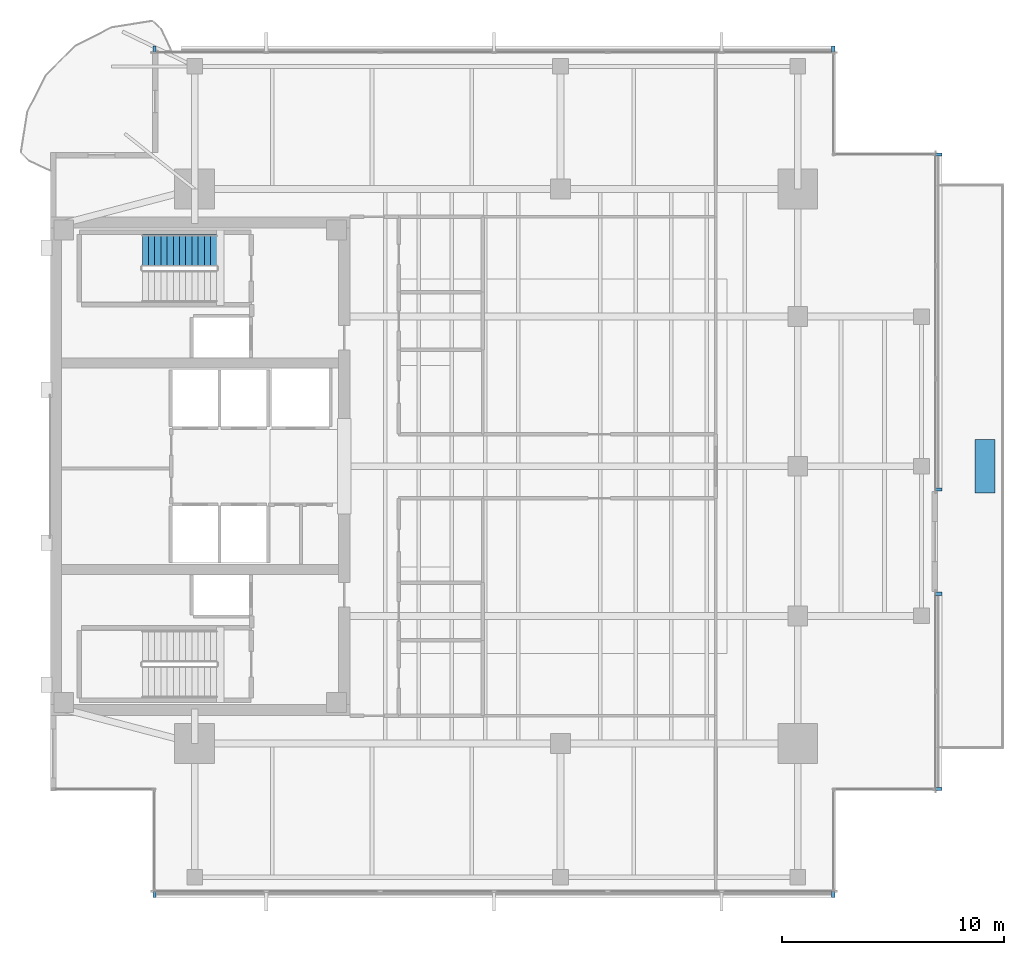
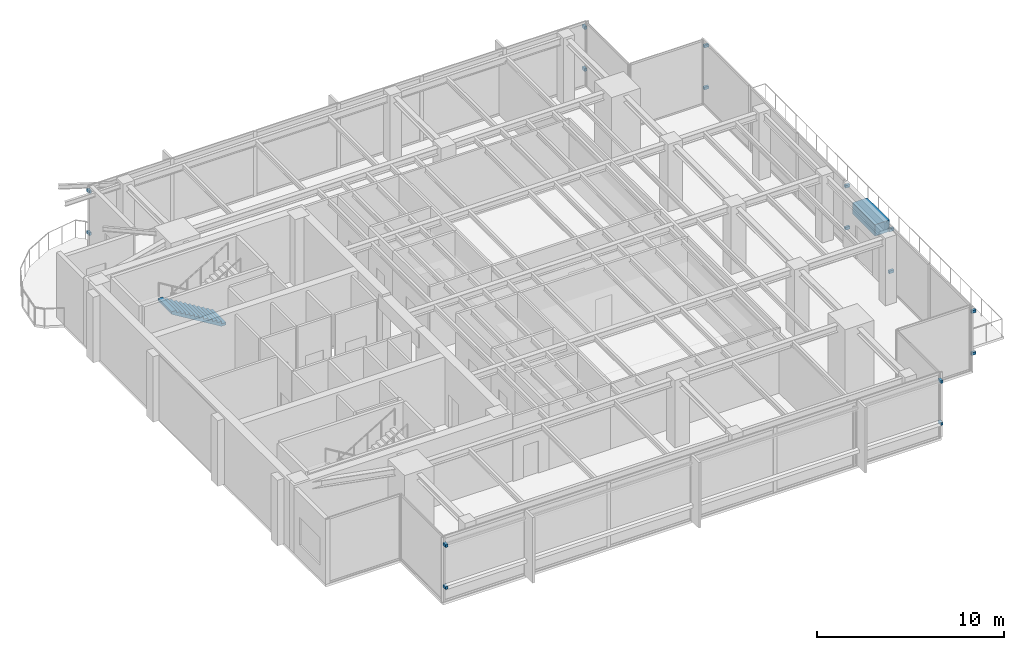
# One storey, part 10 of 14: 17 discrete accessories, 1 stair flight, 1 element without a shape of its own.
"""IFC4 building model written with IfcOpenShell, lengths in metres."""

from ifc_helpers import new_model, si_unit, direction, frame, origin, origin_2d, place, context, subcontext, project, spatial, polyline, rectangle, outline, extrude, material, type_object, element, aggregate, save


model = new_model("IFC4")

# Units and contexts
model_context = context("Model", 3, precision=1e-05, world=origin(), true_north=direction((0.0, 1.0)))
body_context = subcontext(model_context, "Body", "Model", "MODEL_VIEW")
ifc_project = project(units=[si_unit("LENGTHUNIT", "METRE"), si_unit("AREAUNIT", "SQUARE_METRE"), si_unit("VOLUMEUNIT", "CUBIC_METRE"), si_unit("PLANEANGLEUNIT", "RADIAN"), si_unit("MASSUNIT", "GRAM", prefix="KILO")], contexts=[model_context])

# Site, building, storey
site_placement = place(None, origin())
site = spatial("IfcSite", under=ifc_project, at=site_placement, CompositionType="ELEMENT")
building_placement = place(site_placement, origin())
building = spatial("IfcBuilding", under=site, at=building_placement, Name="Kinhvarn Gate Tower", CompositionType="ELEMENT")
storey_placement = place(building_placement, frame((0.0, 0.0, 244.85009765625)))
storey = spatial("IfcBuildingStorey", under=building, at=storey_placement, Name="L65", CompositionType="ELEMENT", Elevation=244.85009765625)

# Stair, stair flight
ifc_material_1 = material(Name="Concrete C40/50", Category="concrete")
stair_type = type_object("IfcStairType", Name="STR-DLG-169", PredefinedType="HALF_TURN_STAIR", material=ifc_material_1)
stair_placement = place(storey_placement, origin())
stair = element("IfcStair", 1, at=stair_placement, inside=storey, type_object=stair_type, Name="L65 Core Smokeproof Exit Stair ST2", PredefinedType="HALF_TURN_STAIR")
stair_flight_type = type_object("IfcStairFlightType", Name="STF-DLG-169", PredefinedType="STRAIGHT", material=ifc_material_1)
stair_flight_placement = place(storey_placement, frame((12.0, 34.97509765625, 0.0), z_axis=(0.0, 0.0, 1.0), x_axis=(-1.0, 0.0, 0.0)))
stair_flight = element("IfcStairFlight", 2, at=stair_flight_placement, type_object=stair_flight_type, Name="ST2 flight 1", NumberOfRisers=13, NumberOfTreads=12, PredefinedType="STRAIGHT", RiserHeight=0.169230769, TreadLength=0.28, context=body_context, shape_type="SweptSolid", body=[
    extrude(outline(polyline([(0.0, 0.0), (0.0, 0.169189453125), (0.280029296875, 0.169189453125), (0.280029296875, 0.33837890625), (0.56005859375, 0.33837890625), (0.56005859375, 0.5078125), (0.840087890625, 0.5078125), (0.840087890625, 0.677001953125), (1.1201171875, 0.677001953125), (1.1201171875, 0.84619140625), (1.39990234375, 0.84619140625), (1.39990234375, 1.015380859375), (1.679931640625, 1.015380859375), (1.679931640625, 1.1845703125), (1.9599609375, 1.1845703125), (1.9599609375, 1.353759765625), (2.239990234375, 1.353759765625), (2.239990234375, 1.523193359375), (2.52001953125, 1.523193359375), (2.52001953125, 1.6923828125), (2.800048828125, 1.6923828125), (2.800048828125, 1.861572265625), (3.080078125, 1.861572265625), (3.080078125, 2.03076171875), (3.360107421875, 2.03076171875), (3.360107421875, 2.199951171875), (3.360107421875, 1.855712890625), (0.289794921875, 0.0), (0.0, 0.0)])), frame((0.0, 0.72509765625, 0.0), z_axis=(0.0, -1.0, 0.0), x_axis=(1.0, 0.0, 0.0)), (0.0, 0.0, 1.0), 1.449951171875),
])
aggregate(stair, [stair_flight])

# Discrete accessories
ifc_material_2 = material(Name="Anodised aluminium AW-6063", Category="aluminium")
discrete_accessory_type_1 = type_object("IfcDiscreteAccessoryType", Name="ACC-BRK-01", PredefinedType="BRACKET", material=ifc_material_2)
for number, where, z_axis, x_axis, name in (
    (3, (9.199951171875, 5.93994140625, 0.9599609375), (0.0, 0.0, 1.0), (1.0, 0.0, 0.0), "Baguette Support Bracket BK-01 (L65)"),
    (4, (9.199951171875, 5.93994140625, 3.69970703125), (0.0, 0.0, 1.0), (1.0, 0.0, 0.0), "Baguette Support Bracket BK-01 (L65)"),
    (5, (39.800048828125, 5.93994140625, 0.9599609375), (0.0, 0.0, 1.0), (1.0, 0.0, 0.0), "Baguette Support Bracket BK-01 (L65)"),
    (6, (39.800048828125, 5.93994140625, 3.69970703125), (0.0, 0.0, 1.0), (1.0, 0.0, 0.0), "Baguette Support Bracket BK-01 (L65)"),
    (7, (39.800048828125, 44.06005859375, 0.9599609375), (0.0, 0.0, 1.0), (-1.0, 0.0, 0.0), "Baguette Support Bracket BK-01 (L65)"),
    (8, (39.800048828125, 44.06005859375, 3.69970703125), (0.0, 0.0, 1.0), (-1.0, 0.0, 0.0), "Baguette Support Bracket BK-01 (L65)"),
    (9, (9.199951171875, 44.06005859375, 0.9599609375), (0.0, 0.0, 1.0), (-1.0, 0.0, 0.0), "Baguette Support Bracket BK-01 (L65)"),
    (10, (9.199951171875, 44.06005859375, 3.69970703125), (0.0, 0.0, 1.0), (-1.0, 0.0, 0.0), "Baguette Support Bracket BK-01 (L65)"),
    (11, (44.56005859375, 10.699951171875, 0.9599609375), (0.0, 0.0, 1.0), (0.0, 1.0, 0.0), "Baguette Support Bracket BK-01 (L65)"),
    (12, (44.56005859375, 10.699951171875, 3.69970703125), (0.0, 0.0, 1.0), (0.0, 1.0, 0.0), "Baguette Support Bracket BK-01 (L65)"),
    (13, (44.56005859375, 19.5, 0.9599609375), (0.0, 0.0, 1.0), (0.0, 1.0, 0.0), "Baguette Support Bracket BK-01 (L65)"),
    (14, (44.56005859375, 19.5, 3.69970703125), (0.0, 0.0, 1.0), (0.0, 1.0, 0.0), "Baguette Support Bracket BK-01 (L65)"),
    (15, (44.56005859375, 24.199951171875, 0.9599609375), (0.0, 0.0, 1.0), (0.0, 1.0, 0.0), "Baguette Support Bracket BK-01 (L65)"),
    (16, (44.56005859375, 24.199951171875, 3.69970703125), (0.0, 0.0, 1.0), (0.0, 1.0, 0.0), "Baguette Support Bracket BK-01 (L65)"),
    (17, (44.56005859375, 39.300048828125, 0.9599609375), (0.0, 0.0, 1.0), (0.0, 1.0, 0.0), "Baguette Support Bracket BK-01 (L65)"),
    (18, (44.56005859375, 39.300048828125, 3.69970703125), (0.0, 0.0, 1.0), (0.0, 1.0, 0.0), "Baguette Support Bracket BK-01 (L65)"),
):
    element("IfcDiscreteAccessory", number, at=place(storey_placement, frame(where, z_axis=z_axis, x_axis=x_axis)), inside=storey, type_object=discrete_accessory_type_1, Name=name, PredefinedType="BRACKET", context=body_context, shape_type="SweptSolid", body=[
        extrude(rectangle(XDim=0.139892578125, YDim=0.280029296875, at=origin_2d()), origin(), (0.0, 0.0, 1.0), 0.179931640625),
    ])
ifc_material_3 = material(Name="Precast white architectural concrete C40/50", Category="concrete")
discrete_accessory_type_2 = type_object("IfcDiscreteAccessoryType", Name="ACC-PLN-01", PredefinedType="USERDEFINED", material=ifc_material_3)
discrete_accessory_placement = place(storey_placement, frame((46.64990234375, 25.25, 0.0), z_axis=(0.0, 0.0, 1.0), x_axis=(1.0, 0.0, 0.0)))
element("IfcDiscreteAccessory", 19, at=discrete_accessory_placement, inside=storey, type_object=discrete_accessory_type_2, Name="Sky Terrace Landscape Planter PLN-01 (L65)", ObjectType="PLANTER", PredefinedType="USERDEFINED", context=body_context, shape_type="SweptSolid", body=[
    extrude(rectangle(XDim=0.89990234375, YDim=2.39990234375, at=origin_2d()), origin(), (0.0, 0.0, 1.0), 0.75),
])

save(model, "model.ifc")
